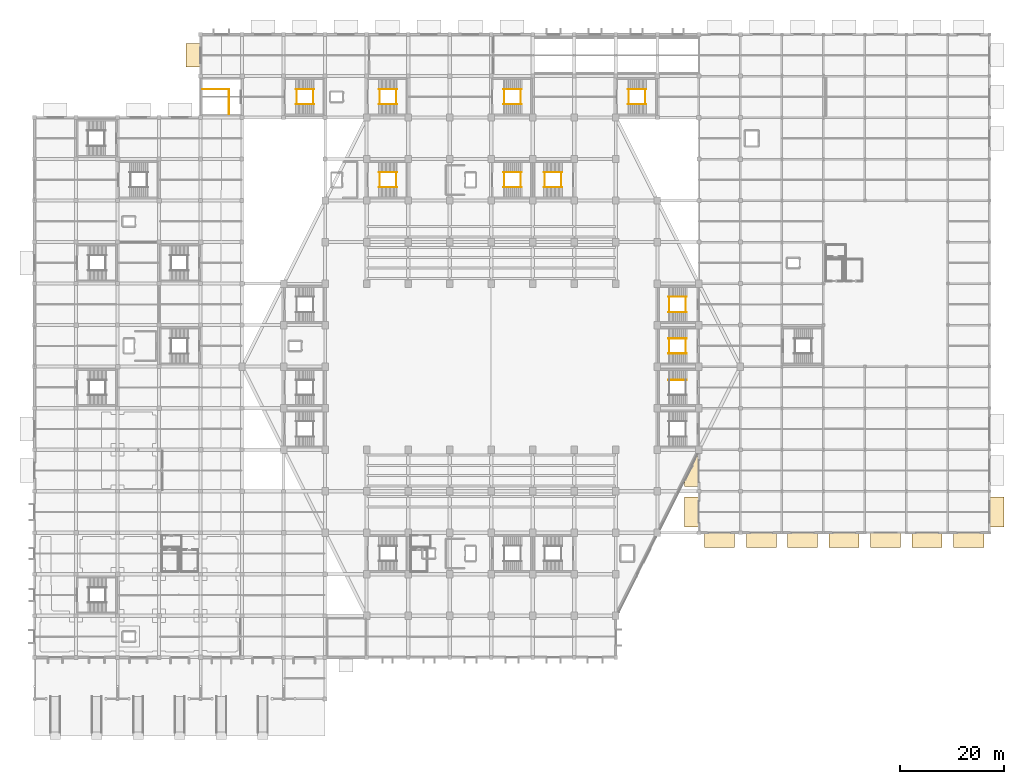
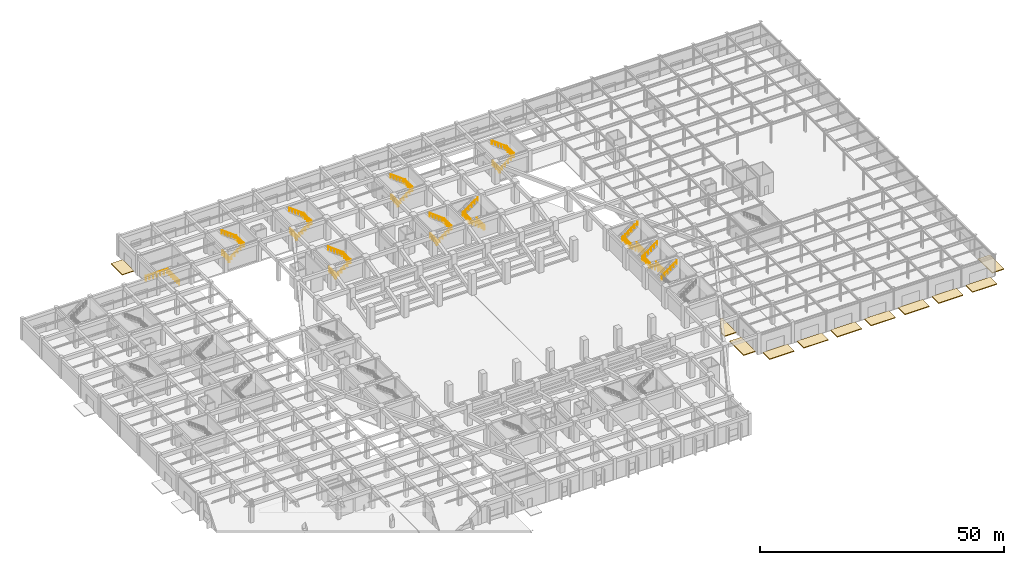
# One storey, part 38 of 39: 39 railings, 11 coverings.
"""IFC4 building model written with IfcOpenShell, lengths in metres."""

import ifcopenshell
import ifcopenshell.guid

model = None  # the IFC model being written
_history = None  # IfcOwnerHistory: only IFC2X3 demands one
_inside = {}  # id of a spatial element -> (the spatial element, [elements in it])
_under = {}  # id of a project, library or spatial element -> (it, [spatial elements below it])
_declared = {}  # id of a project -> (the project, [libraries it declares])
_typed = {}  # id of a type object -> (the type object, [elements of that type])
_made_of = {}  # id of a material, layer set ... -> (it, [elements and type objects made of it])


def new_model(schema):
    """Start an empty IFC model of exactly this schema.

    Asked for "IFC4X3", IfcOpenShell would pick the latest addendum, in which some entities
    have other attributes; the version numbers below select the first issue.
    IFC2X3 requires an IfcOwnerHistory on every rooted entity: one is made here for all.
    """
    global model, _history
    if schema == "IFC4X3":
        model = ifcopenshell.file(schema_version=(4, 3, 0, 0))
    else:
        model = ifcopenshell.file(schema=schema)
    _inside.clear()
    _under.clear()
    _declared.clear()
    _typed.clear()
    _made_of.clear()
    _history = None
    if model.schema == "IFC2X3":
        org = make("IfcOrganization", Name="unknown")
        user = make(
            "IfcPersonAndOrganization",
            ThePerson=make("IfcPerson", FamilyName="unknown"),
            TheOrganization=org,
        )
        app = make(
            "IfcApplication",
            ApplicationDeveloper=org,
            Version="unknown",
            ApplicationFullName="unknown",
            ApplicationIdentifier="unknown",
        )
        _history = make(
            "IfcOwnerHistory",
            OwningUser=user,
            OwningApplication=app,
            ChangeAction="ADDED",
            CreationDate=0,
        )
    return model


def make(cls, **values):
    """One entity of the class cls with the attributes given. An attribute that is None is left unset."""
    return model.create_entity(
        cls, **{name: value for name, value in values.items() if value is not None}
    )


def rooted(cls, **values):
    """An entity with a GlobalId (a new one), such as an element, a storey or a relation."""
    return make(cls, GlobalId=ifcopenshell.guid.new(), OwnerHistory=_history, **values)


def si_unit(unit_type, name, prefix=None):
    """IfcSIUnit, for example si_unit("LENGTHUNIT", "METRE", prefix="MILLI")."""
    return make("IfcSIUnit", UnitType=unit_type, Prefix=prefix, Name=name)


def assignment(units):
    """IfcUnitAssignment: the units of a project."""
    return None if units is None else make("IfcUnitAssignment", Units=units)


def point(xyz):
    """IfcCartesianPoint."""
    return None if xyz is None else make("IfcCartesianPoint", Coordinates=xyz)


def direction(xyz):
    """IfcDirection."""
    return None if xyz is None else make("IfcDirection", DirectionRatios=xyz)


def frame(location, z_axis=None, x_axis=None):
    """IfcAxis2Placement3D, a coordinate frame: its origin and axes. An axis left out is left unset."""
    return make(
        "IfcAxis2Placement3D",
        Location=point(location),
        Axis=direction(z_axis),
        RefDirection=direction(x_axis),
    )


def frame_2d(location, x_axis=None):
    """IfcAxis2Placement2D, a coordinate frame in the plane: its origin and x axis."""
    return make(
        "IfcAxis2Placement2D", Location=point(location), RefDirection=direction(x_axis)
    )


def origin():
    """The frame at (0, 0, 0) with its axes left unset."""
    return frame((0.0, 0.0, 0.0))


def origin_2d():
    """The frame at (0, 0) in the plane with its x axis left unset."""
    return frame_2d((0.0, 0.0))


def place(relative_to, where):
    """IfcLocalPlacement: puts the frame where relative to a parent placement (None: the world)."""
    return make(
        "IfcLocalPlacement", PlacementRelTo=relative_to, RelativePlacement=where
    )


def context(
    kind, dimensions, precision=None, world=None, true_north=None, identifier=None
):
    """IfcGeometricRepresentationContext, for example the 3D "Model" context."""
    return make(
        "IfcGeometricRepresentationContext",
        ContextIdentifier=identifier,
        ContextType=kind,
        CoordinateSpaceDimension=dimensions,
        Precision=precision,
        WorldCoordinateSystem=world,
        TrueNorth=true_north,
    )


def subcontext(parent, identifier, kind, view, scale=None):
    """IfcGeometricRepresentationSubContext, for example "Body" below "Model"."""
    return make(
        "IfcGeometricRepresentationSubContext",
        ContextIdentifier=identifier,
        ContextType=kind,
        ParentContext=parent,
        TargetScale=scale,
        TargetView=view,
    )


def project(units=None, contexts=None):
    """IfcProject with its units and contexts."""
    return rooted(
        "IfcProject",
        Name="project",
        RepresentationContexts=contexts,
        UnitsInContext=assignment(units),
    )


def spatial(cls, under=None, at=None, **own):
    """A site, building, storey or space (cls), placed at a placement, below another one or the project."""
    s = rooted(cls, ObjectPlacement=at, **own)
    if under is not None:
        _under.setdefault(under.id(), (under, []))[1].append(s)
    return s


def polyline(points):
    """IfcPolyline through the points."""
    return make("IfcPolyline", Points=[point(p) for p in points])


def profile(cls, at=None, kind="AREA", **sizes):
    """A parametric profile (cls). Its sizes go by their IFC names, for example OverallWidth=200.0."""
    return make(cls, ProfileType=kind, Position=at, **sizes)


def circle(**sizes):
    """IfcCircleProfileDef."""
    return profile("IfcCircleProfileDef", **sizes)


def outline(outer, holes=None, kind="AREA"):
    """IfcArbitraryClosedProfileDef: a profile drawn as a closed curve; with holes, ...WithVoids."""
    if holes is None:
        return make("IfcArbitraryClosedProfileDef", ProfileType=kind, OuterCurve=outer)
    return make(
        "IfcArbitraryProfileDefWithVoids",
        ProfileType=kind,
        OuterCurve=outer,
        InnerCurves=holes,
    )


def extrude(swept, where, along, depth):
    """IfcExtrudedAreaSolid: the profile swept, set in the frame where, extruded along a direction by depth."""
    return make(
        "IfcExtrudedAreaSolid",
        SweptArea=swept,
        Position=where,
        ExtrudedDirection=direction(along),
        Depth=depth,
    )


def shape(context_of_items, identifier, shape_type, items):
    """IfcShapeRepresentation: the items that make up one representation, for example the "Body"."""
    return make(
        "IfcShapeRepresentation",
        ContextOfItems=context_of_items,
        RepresentationIdentifier=identifier,
        RepresentationType=shape_type,
        Items=items,
    )


def material(Name=None, Category=None):
    """IfcMaterial."""
    return make("IfcMaterial", Name=Name, Category=Category)


def layer(
    of_material, thickness, ventilated=None, Name=None, Category=None, Priority=None
):
    """IfcMaterialLayer: one layer of a wall or slab, of a material (None: an air gap)."""
    return make(
        "IfcMaterialLayer",
        Material=of_material,
        LayerThickness=thickness,
        IsVentilated=ventilated,
        Name=Name,
        Category=Category,
        Priority=Priority,
    )


def layer_set(layers, Name=None):
    """IfcMaterialLayerSet."""
    return make("IfcMaterialLayerSet", MaterialLayers=layers, LayerSetName=Name)


def made_of(thing, what):
    """Note that an element or type object is made of a material, layer set ...; save() writes the relation."""
    if what is not None:
        _made_of.setdefault(what.id(), (what, []))[1].append(thing)
    return thing


def type_object(cls, material=None, **own):
    """A type object (cls), such as IfcWallType, which elements share."""
    return made_of(rooted(cls, **own), material)


def element(
    cls,
    number,
    at=None,
    inside=None,
    cuts=None,
    type_object=None,
    material=None,
    context=None,
    identifier="Body",
    shape_type=None,
    held_by="IfcProductDefinitionShape",
    body=None,
    shapes=None,
    **own,
):
    """One element of the class cls, such as IfcWall. Its Tag is "e" and its number.

    at: its placement. inside: the storey or other place that contains it. cuts: it is an
    opening in that element (IfcRelVoidsElement). A single representation is given by context,
    identifier, shape_type and body (its items); several are given by shapes. held_by: the class
    of the entity that holds the representations. save() writes the other relations.
    """
    e = rooted(cls, Tag="e%d" % number, ObjectPlacement=at, **own)
    if body is not None:
        shapes = [shape(context, identifier, shape_type, body)]
    if shapes is not None:
        e.Representation = make(held_by, Representations=shapes)
    if inside is not None:
        _inside.setdefault(inside.id(), (inside, []))[1].append(e)
    if cuts is not None:
        rooted(
            "IfcRelVoidsElement", RelatingBuildingElement=cuts, RelatedOpeningElement=e
        )
    if type_object is not None:
        _typed.setdefault(type_object.id(), (type_object, []))[1].append(e)
    return made_of(e, material)


def aggregate(whole, parts):
    """IfcRelAggregates: a whole, such as a stair, and the parts it consists of."""
    return rooted("IfcRelAggregates", RelatingObject=whole, RelatedObjects=parts)


def save(model, path):
    """Write the relations noted so far, then the file.

    IfcRelAggregates (storeys below a building ...), IfcRelContainedInSpatialStructure (elements
    in a storey), IfcRelDefinesByType, IfcRelAssociatesMaterial and IfcRelDeclares: one each for
    every whole, place, type object, material and project.
    """
    for whole, parts in _under.values():
        aggregate(whole, parts)
    for where, things in _inside.values():
        rooted(
            "IfcRelContainedInSpatialStructure",
            RelatedElements=things,
            RelatingStructure=where,
        )
    for kind, things in _typed.values():
        rooted("IfcRelDefinesByType", RelatedObjects=things, RelatingType=kind)
    for what, things in _made_of.values():
        rooted("IfcRelAssociatesMaterial", RelatedObjects=things, RelatingMaterial=what)
    for by, libraries in _declared.values():
        rooted("IfcRelDeclares", RelatingContext=by, RelatedDefinitions=libraries)
    model.write(path)


model = new_model("IFC4")

# Units and contexts
model_context = context("Model", 3, precision=1e-05, world=origin(), true_north=direction((0.0, 1.0)))
body_context = subcontext(model_context, "Body", "Model", "MODEL_VIEW")
ifc_project = project(units=[si_unit("LENGTHUNIT", "METRE"), si_unit("AREAUNIT", "SQUARE_METRE"), si_unit("VOLUMEUNIT", "CUBIC_METRE"), si_unit("PLANEANGLEUNIT", "RADIAN"), si_unit("MASSUNIT", "GRAM", prefix="KILO")], contexts=[model_context])

# Site, building, storey
site_placement = place(None, origin())
site = spatial("IfcSite", under=ifc_project, at=site_placement, CompositionType="ELEMENT")
building_placement = place(site_placement, origin())
building = spatial("IfcBuilding", under=site, at=building_placement, Name="Tazarka Park Arena", CompositionType="ELEMENT")
storey_placement = place(building_placement, origin())
storey = spatial("IfcBuildingStorey", under=building, at=storey_placement, Name="L00", CompositionType="ELEMENT", Elevation=0.0)

# Railings
ifc_material_1 = material(Name="Brushed architectural stainless steel", Category="steel")
railing_type_1 = type_object("IfcRailingType", Name="HR-01", PredefinedType="HANDRAIL", material=ifc_material_1)
railing_1_placement = place(storey_placement, frame((50.31494140625, 114.550048828125, 0.0)))
element("IfcRailing", 1, at=railing_1_placement, inside=storey, type_object=railing_type_1, Name="Stair Handrail ST05-L00-F1", PredefinedType="HANDRAIL", context=body_context, shape_type="SweptSolid", body=[
    extrude(circle(Radius=0.02392578125, at=origin_2d()), frame((0.0, 0.0, 0.89599609375), z_axis=(0.797591487339, 0.0, 0.603197993468), x_axis=(0.0, 1.0, 0.0)), (0.0, 0.0, 1.0), 4.47607421875),
    extrude(circle(Radius=0.02099609375, at=origin_2d()), origin(), (0.0, 0.0, 1.0), 0.871826171875),
    extrude(circle(Radius=0.02099609375, at=origin_2d()), frame((0.714111328125, 0.0, 0.5400390625)), (0.0, 0.0, 1.0), 0.871826171875),
    extrude(circle(Radius=0.02099609375, at=origin_2d()), frame((1.427978515625, 0.0, 1.080078125)), (0.0, 0.0, 1.0), 0.871826171875),
    extrude(circle(Radius=0.02099609375, at=origin_2d()), frame((2.14208984375, 0.0, 1.619873046875)), (0.0, 0.0, 1.0), 0.871826171875),
    extrude(circle(Radius=0.02099609375, at=origin_2d()), frame((2.85595703125, 0.0, 2.159912109375)), (0.0, 0.0, 1.0), 0.871826171875),
    extrude(circle(Radius=0.02099609375, at=origin_2d()), frame((3.570068359375, 0.0, 2.699951171875)), (0.0, 0.0, 1.0), 0.871826171875),
])
railing_2_placement = place(storey_placement, frame((53.885009765625, 117.449951171875, 2.699951171875)))
element("IfcRailing", 2, at=railing_2_placement, inside=storey, type_object=railing_type_1, Name="Stair Handrail ST05-L00-F2", PredefinedType="HANDRAIL", context=body_context, shape_type="SweptSolid", body=[
    extrude(circle(Radius=0.02392578125, at=origin_2d()), frame((0.0, 0.0, 0.89599609375), z_axis=(-0.797591487339, 0.0, 0.603197993468), x_axis=(0.0, -1.0, 0.0)), (0.0, 0.0, 1.0), 4.47607421875),
    extrude(circle(Radius=0.02099609375, at=origin_2d()), origin(), (0.0, 0.0, 1.0), 0.871826171875),
    extrude(circle(Radius=0.02099609375, at=origin_2d()), frame((-0.714111328125, 0.0, 0.5400390625)), (0.0, 0.0, 1.0), 0.871826171875),
    extrude(circle(Radius=0.02099609375, at=origin_2d()), frame((-1.427978515625, 0.0, 1.080078125)), (0.0, 0.0, 1.0), 0.871826171875),
    extrude(circle(Radius=0.02099609375, at=origin_2d()), frame((-2.14208984375, 0.0, 1.619873046875)), (0.0, 0.0, 1.0), 0.871826171875),
    extrude(circle(Radius=0.02099609375, at=origin_2d()), frame((-2.85595703125, 0.0, 2.159912109375)), (0.0, 0.0, 1.0), 0.871826171875),
    extrude(circle(Radius=0.02099609375, at=origin_2d()), frame((-3.570068359375, 0.0, 2.699951171875)), (0.0, 0.0, 1.0), 0.871826171875),
])
railing_3_placement = place(storey_placement, frame((66.31494140625, 114.550048828125, 0.0)))
element("IfcRailing", 3, at=railing_3_placement, inside=storey, type_object=railing_type_1, Name="Stair Handrail ST06-L00-F1", PredefinedType="HANDRAIL", context=body_context, shape_type="SweptSolid", body=[
    extrude(circle(Radius=0.02392578125, at=origin_2d()), frame((0.0, 0.0, 0.89599609375), z_axis=(0.797591487339, 0.0, 0.603197993468), x_axis=(0.0, 1.0, 0.0)), (0.0, 0.0, 1.0), 4.47607421875),
    extrude(circle(Radius=0.02099609375, at=origin_2d()), origin(), (0.0, 0.0, 1.0), 0.871826171875),
    extrude(circle(Radius=0.02099609375, at=origin_2d()), frame((0.714111328125, 0.0, 0.5400390625)), (0.0, 0.0, 1.0), 0.871826171875),
    extrude(circle(Radius=0.02099609375, at=origin_2d()), frame((1.427978515625, 0.0, 1.080078125)), (0.0, 0.0, 1.0), 0.871826171875),
    extrude(circle(Radius=0.02099609375, at=origin_2d()), frame((2.14208984375, 0.0, 1.619873046875)), (0.0, 0.0, 1.0), 0.871826171875),
    extrude(circle(Radius=0.02099609375, at=origin_2d()), frame((2.85595703125, 0.0, 2.159912109375)), (0.0, 0.0, 1.0), 0.871826171875),
    extrude(circle(Radius=0.02099609375, at=origin_2d()), frame((3.570068359375, 0.0, 2.699951171875)), (0.0, 0.0, 1.0), 0.871826171875),
])
railing_4_placement = place(storey_placement, frame((69.885009765625, 117.449951171875, 2.699951171875)))
element("IfcRailing", 4, at=railing_4_placement, inside=storey, type_object=railing_type_1, Name="Stair Handrail ST06-L00-F2", PredefinedType="HANDRAIL", context=body_context, shape_type="SweptSolid", body=[
    extrude(circle(Radius=0.02392578125, at=origin_2d()), frame((0.0, 0.0, 0.89599609375), z_axis=(-0.797591487339, 0.0, 0.603197993468), x_axis=(0.0, -1.0, 0.0)), (0.0, 0.0, 1.0), 4.47607421875),
    extrude(circle(Radius=0.02099609375, at=origin_2d()), origin(), (0.0, 0.0, 1.0), 0.871826171875),
    extrude(circle(Radius=0.02099609375, at=origin_2d()), frame((-0.714111328125, 0.0, 0.5400390625)), (0.0, 0.0, 1.0), 0.871826171875),
    extrude(circle(Radius=0.02099609375, at=origin_2d()), frame((-1.427978515625, 0.0, 1.080078125)), (0.0, 0.0, 1.0), 0.871826171875),
    extrude(circle(Radius=0.02099609375, at=origin_2d()), frame((-2.14208984375, 0.0, 1.619873046875)), (0.0, 0.0, 1.0), 0.871826171875),
    extrude(circle(Radius=0.02099609375, at=origin_2d()), frame((-2.85595703125, 0.0, 2.159912109375)), (0.0, 0.0, 1.0), 0.871826171875),
    extrude(circle(Radius=0.02099609375, at=origin_2d()), frame((-3.570068359375, 0.0, 2.699951171875)), (0.0, 0.0, 1.0), 0.871826171875),
])
railing_5_placement = place(storey_placement, frame((90.31494140625, 114.550048828125, 0.0)))
element("IfcRailing", 5, at=railing_5_placement, inside=storey, type_object=railing_type_1, Name="Stair Handrail ST07-L00-F1", PredefinedType="HANDRAIL", context=body_context, shape_type="SweptSolid", body=[
    extrude(circle(Radius=0.02392578125, at=origin_2d()), frame((0.0, 0.0, 0.89599609375), z_axis=(0.797591487339, 0.0, 0.603197993468), x_axis=(0.0, 1.0, 0.0)), (0.0, 0.0, 1.0), 4.47607421875),
    extrude(circle(Radius=0.02099609375, at=origin_2d()), origin(), (0.0, 0.0, 1.0), 0.871826171875),
    extrude(circle(Radius=0.02099609375, at=origin_2d()), frame((0.714111328125, 0.0, 0.5400390625)), (0.0, 0.0, 1.0), 0.871826171875),
    extrude(circle(Radius=0.02099609375, at=origin_2d()), frame((1.427978515625, 0.0, 1.080078125)), (0.0, 0.0, 1.0), 0.871826171875),
    extrude(circle(Radius=0.02099609375, at=origin_2d()), frame((2.14208984375, 0.0, 1.619873046875)), (0.0, 0.0, 1.0), 0.871826171875),
    extrude(circle(Radius=0.02099609375, at=origin_2d()), frame((2.85595703125, 0.0, 2.159912109375)), (0.0, 0.0, 1.0), 0.871826171875),
    extrude(circle(Radius=0.02099609375, at=origin_2d()), frame((3.570068359375, 0.0, 2.699951171875)), (0.0, 0.0, 1.0), 0.871826171875),
])
railing_6_placement = place(storey_placement, frame((93.885009765625, 117.449951171875, 2.699951171875)))
element("IfcRailing", 6, at=railing_6_placement, inside=storey, type_object=railing_type_1, Name="Stair Handrail ST07-L00-F2", PredefinedType="HANDRAIL", context=body_context, shape_type="SweptSolid", body=[
    extrude(circle(Radius=0.02392578125, at=origin_2d()), frame((0.0, 0.0, 0.89599609375), z_axis=(-0.797591487339, 0.0, 0.603197993468), x_axis=(0.0, -1.0, 0.0)), (0.0, 0.0, 1.0), 4.47607421875),
    extrude(circle(Radius=0.02099609375, at=origin_2d()), origin(), (0.0, 0.0, 1.0), 0.871826171875),
    extrude(circle(Radius=0.02099609375, at=origin_2d()), frame((-0.714111328125, 0.0, 0.5400390625)), (0.0, 0.0, 1.0), 0.871826171875),
    extrude(circle(Radius=0.02099609375, at=origin_2d()), frame((-1.427978515625, 0.0, 1.080078125)), (0.0, 0.0, 1.0), 0.871826171875),
    extrude(circle(Radius=0.02099609375, at=origin_2d()), frame((-2.14208984375, 0.0, 1.619873046875)), (0.0, 0.0, 1.0), 0.871826171875),
    extrude(circle(Radius=0.02099609375, at=origin_2d()), frame((-2.85595703125, 0.0, 2.159912109375)), (0.0, 0.0, 1.0), 0.871826171875),
    extrude(circle(Radius=0.02099609375, at=origin_2d()), frame((-3.570068359375, 0.0, 2.699951171875)), (0.0, 0.0, 1.0), 0.871826171875),
])
railing_7_placement = place(storey_placement, frame((114.31494140625, 114.550048828125, 0.0)))
element("IfcRailing", 7, at=railing_7_placement, inside=storey, type_object=railing_type_1, Name="Stair Handrail ST08-L00-F1", PredefinedType="HANDRAIL", context=body_context, shape_type="SweptSolid", body=[
    extrude(circle(Radius=0.02392578125, at=origin_2d()), frame((0.0, 0.0, 0.89599609375), z_axis=(0.797591487339, 0.0, 0.603197993468), x_axis=(0.0, 1.0, 0.0)), (0.0, 0.0, 1.0), 4.47607421875),
    extrude(circle(Radius=0.02099609375, at=origin_2d()), origin(), (0.0, 0.0, 1.0), 0.871826171875),
    extrude(circle(Radius=0.02099609375, at=origin_2d()), frame((0.714111328125, 0.0, 0.5400390625)), (0.0, 0.0, 1.0), 0.871826171875),
    extrude(circle(Radius=0.02099609375, at=origin_2d()), frame((1.427978515625, 0.0, 1.080078125)), (0.0, 0.0, 1.0), 0.871826171875),
    extrude(circle(Radius=0.02099609375, at=origin_2d()), frame((2.14208984375, 0.0, 1.619873046875)), (0.0, 0.0, 1.0), 0.871826171875),
    extrude(circle(Radius=0.02099609375, at=origin_2d()), frame((2.85595703125, 0.0, 2.159912109375)), (0.0, 0.0, 1.0), 0.871826171875),
    extrude(circle(Radius=0.02099609375, at=origin_2d()), frame((3.570068359375, 0.0, 2.699951171875)), (0.0, 0.0, 1.0), 0.871826171875),
])
for number, where, name in (
    (8, (117.885009765625, 117.449951171875, 2.699951171875), "Stair Handrail ST08-L00-F2"),
    (9, (101.68505859375, 98.550048828125, 0.0), "Stair Handrail ST10-L00-F1"),
):
    element("IfcRailing", number, at=place(storey_placement, frame(where)), inside=storey, type_object=railing_type_1, Name=name, PredefinedType="HANDRAIL", context=body_context, shape_type="SweptSolid", body=[
        extrude(circle(Radius=0.02392578125, at=origin_2d()), frame((0.0, 0.0, 0.89599609375), z_axis=(-0.797591487339, 0.0, 0.603197993468), x_axis=(0.0, -1.0, 0.0)), (0.0, 0.0, 1.0), 4.47607421875),
        extrude(circle(Radius=0.02099609375, at=origin_2d()), origin(), (0.0, 0.0, 1.0), 0.871826171875),
        extrude(circle(Radius=0.02099609375, at=origin_2d()), frame((-0.714111328125, 0.0, 0.5400390625)), (0.0, 0.0, 1.0), 0.871826171875),
        extrude(circle(Radius=0.02099609375, at=origin_2d()), frame((-1.427978515625, 0.0, 1.080078125)), (0.0, 0.0, 1.0), 0.871826171875),
        extrude(circle(Radius=0.02099609375, at=origin_2d()), frame((-2.14208984375, 0.0, 1.619873046875)), (0.0, 0.0, 1.0), 0.871826171875),
        extrude(circle(Radius=0.02099609375, at=origin_2d()), frame((-2.85595703125, 0.0, 2.159912109375)), (0.0, 0.0, 1.0), 0.871826171875),
        extrude(circle(Radius=0.02099609375, at=origin_2d()), frame((-3.570068359375, 0.0, 2.699951171875)), (0.0, 0.0, 1.0), 0.871826171875),
    ])
for number, where, name in (
    (10, (98.114990234375, 101.449951171875, 2.699951171875), "Stair Handrail ST10-L00-F2"),
    (11, (122.114990234375, 61.449951171875, 2.699951171875), "Stair Handrail ST12-L00-F2"),
    (12, (66.31494140625, 98.550048828125, 0.0), "Stair Handrail ST14-L00-F1"),
):
    element("IfcRailing", number, at=place(storey_placement, frame(where)), inside=storey, type_object=railing_type_1, Name=name, PredefinedType="HANDRAIL", context=body_context, shape_type="SweptSolid", body=[
        extrude(circle(Radius=0.02392578125, at=origin_2d()), frame((0.0, 0.0, 0.89599609375), z_axis=(0.797591487339, 0.0, 0.603197993468), x_axis=(0.0, 1.0, 0.0)), (0.0, 0.0, 1.0), 4.47607421875),
        extrude(circle(Radius=0.02099609375, at=origin_2d()), origin(), (0.0, 0.0, 1.0), 0.871826171875),
        extrude(circle(Radius=0.02099609375, at=origin_2d()), frame((0.714111328125, 0.0, 0.5400390625)), (0.0, 0.0, 1.0), 0.871826171875),
        extrude(circle(Radius=0.02099609375, at=origin_2d()), frame((1.427978515625, 0.0, 1.080078125)), (0.0, 0.0, 1.0), 0.871826171875),
        extrude(circle(Radius=0.02099609375, at=origin_2d()), frame((2.14208984375, 0.0, 1.619873046875)), (0.0, 0.0, 1.0), 0.871826171875),
        extrude(circle(Radius=0.02099609375, at=origin_2d()), frame((2.85595703125, 0.0, 2.159912109375)), (0.0, 0.0, 1.0), 0.871826171875),
        extrude(circle(Radius=0.02099609375, at=origin_2d()), frame((3.570068359375, 0.0, 2.699951171875)), (0.0, 0.0, 1.0), 0.871826171875),
    ])
railing_8_placement = place(storey_placement, frame((69.885009765625, 101.449951171875, 2.699951171875)))
element("IfcRailing", 13, at=railing_8_placement, inside=storey, type_object=railing_type_1, Name="Stair Handrail ST14-L00-F2", PredefinedType="HANDRAIL", context=body_context, shape_type="SweptSolid", body=[
    extrude(circle(Radius=0.02392578125, at=origin_2d()), frame((0.0, 0.0, 0.89599609375), z_axis=(-0.797591487339, 0.0, 0.603197993468), x_axis=(0.0, -1.0, 0.0)), (0.0, 0.0, 1.0), 4.47607421875),
    extrude(circle(Radius=0.02099609375, at=origin_2d()), origin(), (0.0, 0.0, 1.0), 0.871826171875),
    extrude(circle(Radius=0.02099609375, at=origin_2d()), frame((-0.714111328125, 0.0, 0.5400390625)), (0.0, 0.0, 1.0), 0.871826171875),
    extrude(circle(Radius=0.02099609375, at=origin_2d()), frame((-1.427978515625, 0.0, 1.080078125)), (0.0, 0.0, 1.0), 0.871826171875),
    extrude(circle(Radius=0.02099609375, at=origin_2d()), frame((-2.14208984375, 0.0, 1.619873046875)), (0.0, 0.0, 1.0), 0.871826171875),
    extrude(circle(Radius=0.02099609375, at=origin_2d()), frame((-2.85595703125, 0.0, 2.159912109375)), (0.0, 0.0, 1.0), 0.871826171875),
    extrude(circle(Radius=0.02099609375, at=origin_2d()), frame((-3.570068359375, 0.0, 2.699951171875)), (0.0, 0.0, 1.0), 0.871826171875),
])
railing_9_placement = place(storey_placement, frame((90.31494140625, 98.550048828125, 0.0)))
element("IfcRailing", 14, at=railing_9_placement, inside=storey, type_object=railing_type_1, Name="Stair Handrail ST15-L00-F1", PredefinedType="HANDRAIL", context=body_context, shape_type="SweptSolid", body=[
    extrude(circle(Radius=0.02392578125, at=origin_2d()), frame((0.0, 0.0, 0.89599609375), z_axis=(0.797591487339, 0.0, 0.603197993468), x_axis=(0.0, 1.0, 0.0)), (0.0, 0.0, 1.0), 4.47607421875),
    extrude(circle(Radius=0.02099609375, at=origin_2d()), origin(), (0.0, 0.0, 1.0), 0.871826171875),
    extrude(circle(Radius=0.02099609375, at=origin_2d()), frame((0.714111328125, 0.0, 0.5400390625)), (0.0, 0.0, 1.0), 0.871826171875),
    extrude(circle(Radius=0.02099609375, at=origin_2d()), frame((1.427978515625, 0.0, 1.080078125)), (0.0, 0.0, 1.0), 0.871826171875),
    extrude(circle(Radius=0.02099609375, at=origin_2d()), frame((2.14208984375, 0.0, 1.619873046875)), (0.0, 0.0, 1.0), 0.871826171875),
    extrude(circle(Radius=0.02099609375, at=origin_2d()), frame((2.85595703125, 0.0, 2.159912109375)), (0.0, 0.0, 1.0), 0.871826171875),
    extrude(circle(Radius=0.02099609375, at=origin_2d()), frame((3.570068359375, 0.0, 2.699951171875)), (0.0, 0.0, 1.0), 0.871826171875),
])
for number, where, name in (
    (15, (93.885009765625, 101.449951171875, 2.699951171875), "Stair Handrail ST15-L00-F2"),
    (16, (125.68505859375, 66.550048828125, 0.0), "Stair Handrail ST16-L00-F1"),
):
    element("IfcRailing", number, at=place(storey_placement, frame(where)), inside=storey, type_object=railing_type_1, Name=name, PredefinedType="HANDRAIL", context=body_context, shape_type="SweptSolid", body=[
        extrude(circle(Radius=0.02392578125, at=origin_2d()), frame((0.0, 0.0, 0.89599609375), z_axis=(-0.797591487339, 0.0, 0.603197993468), x_axis=(0.0, -1.0, 0.0)), (0.0, 0.0, 1.0), 4.47607421875),
        extrude(circle(Radius=0.02099609375, at=origin_2d()), origin(), (0.0, 0.0, 1.0), 0.871826171875),
        extrude(circle(Radius=0.02099609375, at=origin_2d()), frame((-0.714111328125, 0.0, 0.5400390625)), (0.0, 0.0, 1.0), 0.871826171875),
        extrude(circle(Radius=0.02099609375, at=origin_2d()), frame((-1.427978515625, 0.0, 1.080078125)), (0.0, 0.0, 1.0), 0.871826171875),
        extrude(circle(Radius=0.02099609375, at=origin_2d()), frame((-2.14208984375, 0.0, 1.619873046875)), (0.0, 0.0, 1.0), 0.871826171875),
        extrude(circle(Radius=0.02099609375, at=origin_2d()), frame((-2.85595703125, 0.0, 2.159912109375)), (0.0, 0.0, 1.0), 0.871826171875),
        extrude(circle(Radius=0.02099609375, at=origin_2d()), frame((-3.570068359375, 0.0, 2.699951171875)), (0.0, 0.0, 1.0), 0.871826171875),
    ])
railing_10_placement = place(storey_placement, frame((122.114990234375, 69.449951171875, 2.699951171875)))
element("IfcRailing", 17, at=railing_10_placement, inside=storey, type_object=railing_type_1, Name="Stair Handrail ST16-L00-F2", PredefinedType="HANDRAIL", context=body_context, shape_type="SweptSolid", body=[
    extrude(circle(Radius=0.02392578125, at=origin_2d()), frame((0.0, 0.0, 0.89599609375), z_axis=(0.797591487339, 0.0, 0.603197993468), x_axis=(0.0, 1.0, 0.0)), (0.0, 0.0, 1.0), 4.47607421875),
    extrude(circle(Radius=0.02099609375, at=origin_2d()), origin(), (0.0, 0.0, 1.0), 0.871826171875),
    extrude(circle(Radius=0.02099609375, at=origin_2d()), frame((0.714111328125, 0.0, 0.5400390625)), (0.0, 0.0, 1.0), 0.871826171875),
    extrude(circle(Radius=0.02099609375, at=origin_2d()), frame((1.427978515625, 0.0, 1.080078125)), (0.0, 0.0, 1.0), 0.871826171875),
    extrude(circle(Radius=0.02099609375, at=origin_2d()), frame((2.14208984375, 0.0, 1.619873046875)), (0.0, 0.0, 1.0), 0.871826171875),
    extrude(circle(Radius=0.02099609375, at=origin_2d()), frame((2.85595703125, 0.0, 2.159912109375)), (0.0, 0.0, 1.0), 0.871826171875),
    extrude(circle(Radius=0.02099609375, at=origin_2d()), frame((3.570068359375, 0.0, 2.699951171875)), (0.0, 0.0, 1.0), 0.871826171875),
])
railing_11_placement = place(storey_placement, frame((125.68505859375, 74.510009765625, 0.0)))
element("IfcRailing", 18, at=railing_11_placement, inside=storey, type_object=railing_type_1, Name="Stair Handrail ST22-L00-F1", PredefinedType="HANDRAIL", context=body_context, shape_type="SweptSolid", body=[
    extrude(circle(Radius=0.02392578125, at=origin_2d()), frame((0.0, 0.0, 0.89599609375), z_axis=(-0.797591487339, 0.0, 0.603197993468), x_axis=(0.0, -1.0, 0.0)), (0.0, 0.0, 1.0), 4.47607421875),
    extrude(circle(Radius=0.02099609375, at=origin_2d()), origin(), (0.0, 0.0, 1.0), 0.871826171875),
    extrude(circle(Radius=0.02099609375, at=origin_2d()), frame((-0.714111328125, 0.0, 0.5400390625)), (0.0, 0.0, 1.0), 0.871826171875),
    extrude(circle(Radius=0.02099609375, at=origin_2d()), frame((-1.427978515625, 0.0, 1.080078125)), (0.0, 0.0, 1.0), 0.871826171875),
    extrude(circle(Radius=0.02099609375, at=origin_2d()), frame((-2.14208984375, 0.0, 1.619873046875)), (0.0, 0.0, 1.0), 0.871826171875),
    extrude(circle(Radius=0.02099609375, at=origin_2d()), frame((-2.85595703125, 0.0, 2.159912109375)), (0.0, 0.0, 1.0), 0.871826171875),
    extrude(circle(Radius=0.02099609375, at=origin_2d()), frame((-3.570068359375, 0.0, 2.699951171875)), (0.0, 0.0, 1.0), 0.871826171875),
])
railing_12_placement = place(storey_placement, frame((122.114990234375, 77.489990234375, 2.699951171875)))
element("IfcRailing", 19, at=railing_12_placement, inside=storey, type_object=railing_type_1, Name="Stair Handrail ST22-L00-F2", PredefinedType="HANDRAIL", context=body_context, shape_type="SweptSolid", body=[
    extrude(circle(Radius=0.02392578125, at=origin_2d()), frame((0.0, 0.0, 0.89599609375), z_axis=(0.797591487339, 0.0, 0.603197993468), x_axis=(0.0, 1.0, 0.0)), (0.0, 0.0, 1.0), 4.47607421875),
    extrude(circle(Radius=0.02099609375, at=origin_2d()), origin(), (0.0, 0.0, 1.0), 0.871826171875),
    extrude(circle(Radius=0.02099609375, at=origin_2d()), frame((0.714111328125, 0.0, 0.5400390625)), (0.0, 0.0, 1.0), 0.871826171875),
    extrude(circle(Radius=0.02099609375, at=origin_2d()), frame((1.427978515625, 0.0, 1.080078125)), (0.0, 0.0, 1.0), 0.871826171875),
    extrude(circle(Radius=0.02099609375, at=origin_2d()), frame((2.14208984375, 0.0, 1.619873046875)), (0.0, 0.0, 1.0), 0.871826171875),
    extrude(circle(Radius=0.02099609375, at=origin_2d()), frame((2.85595703125, 0.0, 2.159912109375)), (0.0, 0.0, 1.0), 0.871826171875),
    extrude(circle(Radius=0.02099609375, at=origin_2d()), frame((3.570068359375, 0.0, 2.699951171875)), (0.0, 0.0, 1.0), 0.871826171875),
])
ifc_material_2 = material(Name="Galvanised powder-coated architectural steel", Category="steel")
railing_type_2 = type_object("IfcRailingType", Name="IGR-01", PredefinedType="GUARDRAIL", material=ifc_material_2)
railing_13_placement = place(storey_placement, frame((37.485107421875, 112.679931640625, 0.0)))
element("IfcRailing", 20, at=railing_13_placement, inside=storey, type_object=railing_type_2, Name="Stair Well Guardrail ST04-L00", PredefinedType="GUARDRAIL", context=body_context, shape_type="SweptSolid", body=[
    extrude(circle(Radius=0.02392578125, at=origin_2d()), frame((0.0, 0.0, 1.1259765625), z_axis=(0.0, 1.0, 0.0), x_axis=(-1.0, 0.0, 0.0)), (0.0, 0.0, 1.0), 4.77001953125),
    extrude(circle(Radius=0.02099609375, at=origin_2d()), origin(), (0.0, 0.0, 1.0), 1.101806640625),
    extrude(circle(Radius=0.02099609375, at=origin_2d()), frame((0.0, 0.794921875, 0.0)), (0.0, 0.0, 1.0), 1.101806640625),
    extrude(circle(Radius=0.02099609375, at=origin_2d()), frame((0.0, 1.590087890625, 0.0)), (0.0, 0.0, 1.0), 1.101806640625),
    extrude(circle(Radius=0.02099609375, at=origin_2d()), frame((0.0, 2.385009765625, 0.0)), (0.0, 0.0, 1.0), 1.101806640625),
    extrude(circle(Radius=0.02099609375, at=origin_2d()), frame((0.0, 3.179931640625, 0.0)), (0.0, 0.0, 1.0), 1.101806640625),
    extrude(circle(Radius=0.02099609375, at=origin_2d()), frame((0.0, 3.97509765625, 0.0)), (0.0, 0.0, 1.0), 1.101806640625),
    extrude(circle(Radius=0.02099609375, at=origin_2d()), frame((0.0, 4.77001953125, 0.0)), (0.0, 0.0, 1.0), 1.101806640625),
])
railing_14_placement = place(storey_placement, frame((37.485107421875, 117.449951171875, 0.0)))
element("IfcRailing", 21, at=railing_14_placement, inside=storey, type_object=railing_type_2, Name="Top Well Guardrail ST04-L00", PredefinedType="GUARDRAIL", context=body_context, shape_type="SweptSolid", body=[
    extrude(circle(Radius=0.02392578125, at=origin_2d()), frame((0.0, 0.0, 1.1259765625), z_axis=(-1.0, 0.0, 0.0), x_axis=(0.0, -1.0, 0.0)), (0.0, 0.0, 1.0), 5.105224609375),
    extrude(circle(Radius=0.02099609375, at=origin_2d()), origin(), (0.0, 0.0, 1.0), 1.101806640625),
    extrude(circle(Radius=0.02099609375, at=origin_2d()), frame((-0.850830078125, 0.0, 0.0)), (0.0, 0.0, 1.0), 1.101806640625),
    extrude(circle(Radius=0.02099609375, at=origin_2d()), frame((-1.70166015625, 0.0, 0.0)), (0.0, 0.0, 1.0), 1.101806640625),
    extrude(circle(Radius=0.02099609375, at=origin_2d()), frame((-2.552734375, 0.0, 0.0)), (0.0, 0.0, 1.0), 1.101806640625),
    extrude(circle(Radius=0.02099609375, at=origin_2d()), frame((-3.403564453125, 0.0, 0.0)), (0.0, 0.0, 1.0), 1.101806640625),
    extrude(circle(Radius=0.02099609375, at=origin_2d()), frame((-4.25439453125, 0.0, 0.0)), (0.0, 0.0, 1.0), 1.101806640625),
    extrude(circle(Radius=0.02099609375, at=origin_2d()), frame((-5.105224609375, 0.0, 0.0)), (0.0, 0.0, 1.0), 1.101806640625),
])
for number, where, name in (
    (22, (50.514892578125, 114.550048828125, 0.0), "Stair Well Guardrail ST05-L00"),
    (23, (53.68505859375, 114.550048828125, 2.699951171875), "Landing Guardrail ST05-L00-M"),
    (24, (66.514892578125, 114.550048828125, 0.0), "Stair Well Guardrail ST06-L00"),
    (25, (69.68505859375, 114.550048828125, 2.699951171875), "Landing Guardrail ST06-L00-M"),
    (26, (90.514892578125, 114.550048828125, 0.0), "Stair Well Guardrail ST07-L00"),
    (27, (93.68505859375, 114.550048828125, 2.699951171875), "Landing Guardrail ST07-L00-M"),
    (28, (114.514892578125, 114.550048828125, 0.0), "Stair Well Guardrail ST08-L00"),
    (29, (117.68505859375, 114.550048828125, 2.699951171875), "Landing Guardrail ST08-L00-M"),
    (30, (101.485107421875, 98.550048828125, 0.0), "Stair Well Guardrail ST10-L00"),
    (31, (98.31494140625, 98.550048828125, 2.699951171875), "Landing Guardrail ST10-L00-M"),
    (32, (66.514892578125, 98.550048828125, 0.0), "Stair Well Guardrail ST14-L00"),
    (33, (69.68505859375, 98.550048828125, 2.699951171875), "Landing Guardrail ST14-L00-M"),
    (34, (90.514892578125, 98.550048828125, 0.0), "Stair Well Guardrail ST15-L00"),
    (35, (93.68505859375, 98.550048828125, 2.699951171875), "Landing Guardrail ST15-L00-M"),
    (36, (125.485107421875, 66.550048828125, 0.0), "Stair Well Guardrail ST16-L00"),
    (37, (122.31494140625, 66.550048828125, 2.699951171875), "Landing Guardrail ST16-L00-M"),
):
    element("IfcRailing", number, at=place(storey_placement, frame(where)), inside=storey, type_object=railing_type_2, Name=name, PredefinedType="GUARDRAIL", context=body_context, shape_type="SweptSolid", body=[
        extrude(circle(Radius=0.02392578125, at=origin_2d()), frame((0.0, 0.0, 1.1259765625), z_axis=(0.0, 1.0, 0.0), x_axis=(-1.0, 0.0, 0.0)), (0.0, 0.0, 1.0), 2.89990234375),
        extrude(circle(Radius=0.02099609375, at=origin_2d()), origin(), (0.0, 0.0, 1.0), 1.101806640625),
        extrude(circle(Radius=0.02099609375, at=origin_2d()), frame((0.0, 0.72509765625, 0.0)), (0.0, 0.0, 1.0), 1.101806640625),
        extrude(circle(Radius=0.02099609375, at=origin_2d()), frame((0.0, 1.449951171875, 0.0)), (0.0, 0.0, 1.0), 1.101806640625),
        extrude(circle(Radius=0.02099609375, at=origin_2d()), frame((0.0, 2.1748046875, 0.0)), (0.0, 0.0, 1.0), 1.101806640625),
        extrude(circle(Radius=0.02099609375, at=origin_2d()), frame((0.0, 2.89990234375, 0.0)), (0.0, 0.0, 1.0), 1.101806640625),
    ])
for number, where, name in (
    (38, (125.485107421875, 74.510009765625, 0.0), "Stair Well Guardrail ST22-L00"),
    (39, (122.31494140625, 74.510009765625, 2.699951171875), "Landing Guardrail ST22-L00-M"),
):
    element("IfcRailing", number, at=place(storey_placement, frame(where)), inside=storey, type_object=railing_type_2, Name=name, PredefinedType="GUARDRAIL", context=body_context, shape_type="SweptSolid", body=[
        extrude(circle(Radius=0.02392578125, at=origin_2d()), frame((0.0, 0.0, 1.1259765625), z_axis=(0.0, 1.0, 0.0), x_axis=(-1.0, 0.0, 0.0)), (0.0, 0.0, 1.0), 2.97998046875),
        extrude(circle(Radius=0.02099609375, at=origin_2d()), origin(), (0.0, 0.0, 1.0), 1.101806640625),
        extrude(circle(Radius=0.02099609375, at=origin_2d()), frame((0.0, 0.7451171875, 0.0)), (0.0, 0.0, 1.0), 1.101806640625),
        extrude(circle(Radius=0.02099609375, at=origin_2d()), frame((0.0, 1.489990234375, 0.0)), (0.0, 0.0, 1.0), 1.101806640625),
        extrude(circle(Radius=0.02099609375, at=origin_2d()), frame((0.0, 2.23486328125, 0.0)), (0.0, 0.0, 1.0), 1.101806640625),
        extrude(circle(Radius=0.02099609375, at=origin_2d()), frame((0.0, 2.97998046875, 0.0)), (0.0, 0.0, 1.0), 1.101806640625),
    ])

# Coverings
ifc_material_3 = material(Name="Standing-seam acoustic aluminium roofing membrane", Category="aluminium")
ifc_layer = layer(ifc_material_3, 0.050048828125, Name="Standing-seam acoustic aluminium roofing membrane")
ifc_layer_set = layer_set([ifc_layer], Name="Standing-seam acoustic aluminium roofing membrane")
covering_type = type_object("IfcCoveringType", Name="RFG-01", PredefinedType="ROOFING", material=ifc_layer_set)
covering_1_placement = place(storey_placement, frame((0.0, 0.0, -0.199951171875)))
element("IfcCovering", 40, at=covering_1_placement, inside=storey, type_object=covering_type, Name="Threshold Paving E01", PredefinedType="ROOFING", context=body_context, shape_type="SweptSolid", body=[
    extrude(outline(polyline([(127.97998046875, 46.737548828125), (127.97998046875, 40.9375), (125.199951171875, 40.9375), (125.199951171875, 42.355224609375), (127.39111328125, 46.737548828125), (127.97998046875, 46.737548828125)])), origin(), (0.0, 0.0, 1.0), 0.199951171875),
])
covering_2_placement = place(storey_placement, frame((0.0, 0.0, -0.199951171875)))
element("IfcCovering", 41, at=covering_2_placement, inside=storey, type_object=covering_type, Name="Threshold Paving E02", PredefinedType="ROOFING", context=body_context, shape_type="SweptSolid", body=[
    extrude(outline(polyline([(125.199951171875, 33.10009765625), (125.199951171875, 38.89990234375), (127.97998046875, 38.89990234375), (127.97998046875, 33.10009765625), (125.199951171875, 33.10009765625)])), origin(), (0.0, 0.0, 1.0), 0.199951171875),
])
covering_3_placement = place(storey_placement, frame((0.0, 0.0, -0.199951171875)))
element("IfcCovering", 42, at=covering_3_placement, inside=storey, type_object=covering_type, Name="Threshold Paving E03", PredefinedType="ROOFING", context=body_context, shape_type="SweptSolid", body=[
    extrude(outline(polyline([(134.89990234375, 29.199951171875), (129.10009765625, 29.199951171875), (129.10009765625, 31.97998046875), (134.89990234375, 31.97998046875), (134.89990234375, 29.199951171875)])), origin(), (0.0, 0.0, 1.0), 0.199951171875),
])
covering_4_placement = place(storey_placement, frame((0.0, 0.0, -0.199951171875)))
element("IfcCovering", 43, at=covering_4_placement, inside=storey, type_object=covering_type, Name="Threshold Paving E04", PredefinedType="ROOFING", context=body_context, shape_type="SweptSolid", body=[
    extrude(outline(polyline([(142.98583984375, 29.199951171875), (137.185791015625, 29.199951171875), (137.185791015625, 31.97998046875), (142.98583984375, 31.97998046875), (142.98583984375, 29.199951171875)])), origin(), (0.0, 0.0, 1.0), 0.199951171875),
])
covering_5_placement = place(storey_placement, frame((0.0, 0.0, -0.199951171875)))
element("IfcCovering", 44, at=covering_5_placement, inside=storey, type_object=covering_type, Name="Threshold Paving E05", PredefinedType="ROOFING", context=body_context, shape_type="SweptSolid", body=[
    extrude(outline(polyline([(150.89990234375, 29.199951171875), (145.10009765625, 29.199951171875), (145.10009765625, 31.97998046875), (150.89990234375, 31.97998046875), (150.89990234375, 29.199951171875)])), origin(), (0.0, 0.0, 1.0), 0.199951171875),
])
covering_6_placement = place(storey_placement, frame((0.0, 0.0, -0.199951171875)))
element("IfcCovering", 45, at=covering_6_placement, inside=storey, type_object=covering_type, Name="Threshold Paving E06", PredefinedType="ROOFING", context=body_context, shape_type="SweptSolid", body=[
    extrude(outline(polyline([(158.89990234375, 29.199951171875), (153.10009765625, 29.199951171875), (153.10009765625, 31.97998046875), (158.89990234375, 31.97998046875), (158.89990234375, 29.199951171875)])), origin(), (0.0, 0.0, 1.0), 0.199951171875),
])
covering_7_placement = place(storey_placement, frame((0.0, 0.0, -0.199951171875)))
element("IfcCovering", 46, at=covering_7_placement, inside=storey, type_object=covering_type, Name="Threshold Paving E07", PredefinedType="ROOFING", context=body_context, shape_type="SweptSolid", body=[
    extrude(outline(polyline([(166.89990234375, 29.199951171875), (161.10009765625, 29.199951171875), (161.10009765625, 31.97998046875), (166.89990234375, 31.97998046875), (166.89990234375, 29.199951171875)])), origin(), (0.0, 0.0, 1.0), 0.199951171875),
])
covering_8_placement = place(storey_placement, frame((0.0, 0.0, -0.199951171875)))
element("IfcCovering", 47, at=covering_8_placement, inside=storey, type_object=covering_type, Name="Threshold Paving E08", PredefinedType="ROOFING", context=body_context, shape_type="SweptSolid", body=[
    extrude(outline(polyline([(174.89990234375, 29.199951171875), (169.10009765625, 29.199951171875), (169.10009765625, 31.97998046875), (174.89990234375, 31.97998046875), (174.89990234375, 29.199951171875)])), origin(), (0.0, 0.0, 1.0), 0.199951171875),
])
covering_9_placement = place(storey_placement, frame((0.0, 0.0, -0.199951171875)))
element("IfcCovering", 48, at=covering_9_placement, inside=storey, type_object=covering_type, Name="Threshold Paving E09", PredefinedType="ROOFING", context=body_context, shape_type="SweptSolid", body=[
    extrude(outline(polyline([(182.89990234375, 29.199951171875), (177.10009765625, 29.199951171875), (177.10009765625, 31.97998046875), (182.89990234375, 31.97998046875), (182.89990234375, 29.199951171875)])), origin(), (0.0, 0.0, 1.0), 0.199951171875),
])
covering_10_placement = place(storey_placement, frame((0.0, 0.0, -0.199951171875)))
element("IfcCovering", 49, at=covering_10_placement, inside=storey, type_object=covering_type, Name="Threshold Paving E10", PredefinedType="ROOFING", context=body_context, shape_type="SweptSolid", body=[
    extrude(outline(polyline([(186.800048828125, 38.89990234375), (186.800048828125, 33.10009765625), (184.02001953125, 33.10009765625), (184.02001953125, 38.89990234375), (186.800048828125, 38.89990234375)])), origin(), (0.0, 0.0, 1.0), 0.199951171875),
])
covering_11_placement = place(storey_placement, frame((0.0, 0.0, -0.199951171875)))
element("IfcCovering", 50, at=covering_11_placement, inside=storey, type_object=covering_type, Name="Threshold Paving G16", PredefinedType="ROOFING", context=body_context, shape_type="SweptSolid", body=[
    extrude(outline(polyline([(29.199951171875, 121.699951171875), (29.199951171875, 126.300048828125), (31.97998046875, 126.300048828125), (31.97998046875, 121.699951171875), (29.199951171875, 121.699951171875)])), origin(), (0.0, 0.0, 1.0), 0.199951171875),
])

save(model, "model.ifc")
